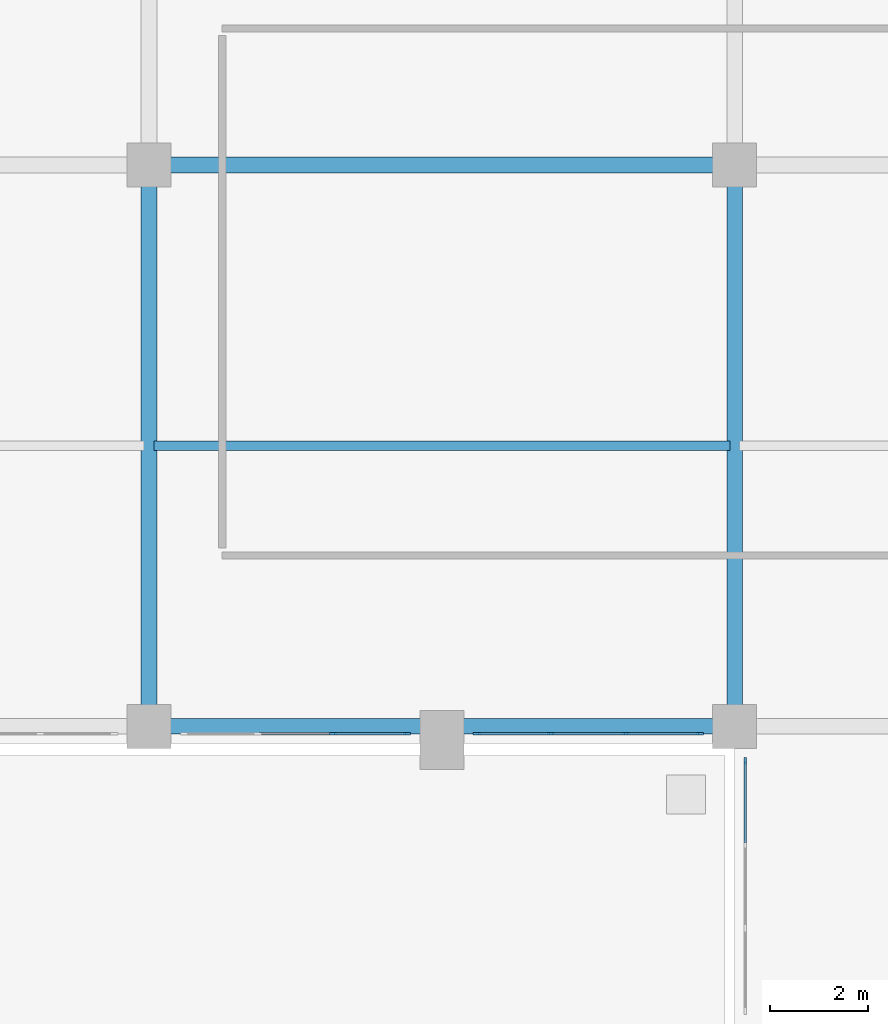
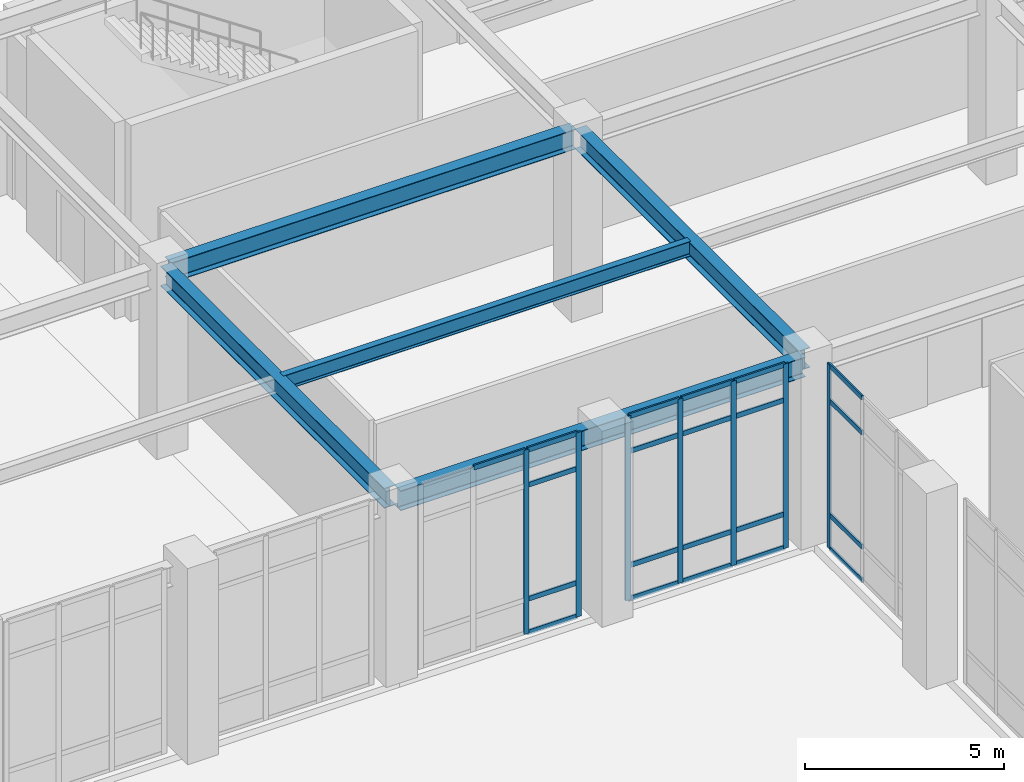
# One storey, part 76 of 143: 28 members, 5 beams, 3 elements without a shape of their own.
"""IFC4 building model written with IfcOpenShell, lengths in metres."""

from ifc_helpers import new_model, si_unit, derived_unit, direction, frame, origin, origin_2d, place, context, subcontext, project, spatial, rectangle, i_section, extrude, material, layer, layer_set, material_profile, profile_set, type_object, element, aggregate, save


model = new_model("IFC4")

# Units and contexts
model_context = context("Model", 3, precision=1e-05, world=origin(), true_north=direction((0.0, 1.0)))
body_context = subcontext(model_context, "Body", "Model", "MODEL_VIEW")
ifc_project = project(units=[si_unit("LENGTHUNIT", "METRE"), si_unit("AREAUNIT", "SQUARE_METRE"), si_unit("VOLUMEUNIT", "CUBIC_METRE"), si_unit("PLANEANGLEUNIT", "RADIAN"), si_unit("MASSUNIT", "GRAM", prefix="KILO"), derived_unit("THERMALTRANSMITTANCEUNIT", [(si_unit("MASSUNIT", "GRAM", prefix="KILO"), 1), (si_unit("TIMEUNIT", "SECOND"), -3), (si_unit("THERMODYNAMICTEMPERATUREUNIT", "KELVIN"), -1)])], contexts=[model_context])

# Site, building, storey
site_placement = place(None, origin())
site = spatial("IfcSite", under=ifc_project, at=site_placement, CompositionType="ELEMENT")
building_placement = place(site_placement, origin())
building = spatial("IfcBuilding", under=site, at=building_placement, Name="Valcora Ridge Arena", CompositionType="ELEMENT")
storey_placement = place(building_placement, origin())
storey = spatial("IfcBuildingStorey", under=building, at=storey_placement, Name="L00", CompositionType="ELEMENT", Elevation=0.0)

# Beams
ifc_material_1 = material(Name="Steel ASTM A572 Grade 50", Category="steel")
ifc_material_profile_1 = material_profile(ifc_material_1, i_section(OverallWidth=0.324951171875, OverallDepth=0.612060546875, WebThickness=0.0126953125, FlangeThickness=0.01904296875, FilletRadius=0.01806640625, at=origin_2d()), Name="W24X104")
ifc_profile_set_1 = profile_set([ifc_material_profile_1], Name="Steel ASTM A572 Grade 50")
beam_type_1 = type_object("IfcBeamType", Name="TY-BEAM-G-W24X104-X", PredefinedType="BEAM", material=ifc_profile_set_1)
for number, where, z_axis, x_axis, name in (
    (1, (144.139892578125, 108.699951171875, 5.333984375), (1.0, 0.0, 0.0), (0.0, 1.0, 0.0), "G-W24X104-X BEM-G-W24X104-X-0014"),
    (2, (144.139892578125, 120.199951171875, 5.333984375), (1.0, 0.0, 0.0), (0.0, 1.0, 0.0), "G-W24X104-X BEM-G-W24X104-X-0028"),
):
    element("IfcBeam", number, at=place(storey_placement, frame(where, z_axis=z_axis, x_axis=x_axis)), inside=storey, type_object=beam_type_1, Name=name, PredefinedType="BEAM", context=body_context, shape_type="SweptSolid", body=[
        extrude(i_section(OverallWidth=0.324951171875, OverallDepth=0.612060546875, WebThickness=0.0126953125, FlangeThickness=0.01904296875, FilletRadius=0.01806640625, at=origin_2d()), origin(), (0.0, 0.0, 1.0), 11.72021484375),
    ])
ifc_material_profile_2 = material_profile(ifc_material_1, i_section(OverallWidth=0.324951171875, OverallDepth=0.612060546875, WebThickness=0.0126953125, FlangeThickness=0.01904296875, FilletRadius=0.01806640625, at=origin_2d()), Name="W24X104")
ifc_profile_set_2 = profile_set([ifc_material_profile_2], Name="Steel ASTM A572 Grade 50")
beam_type_2 = type_object("IfcBeamType", Name="TY-BEAM-G-W24X104-Y", PredefinedType="BEAM", material=ifc_profile_set_2)
for number, where, z_axis, x_axis, name in (
    (3, (144.0, 108.840087890625, 5.333984375), (0.0, 1.0, 0.0), (-1.0, 0.0, 0.0), "G-W24X104-Y BEM-G-W24X104-Y-0020"),
    (4, (156.0, 108.840087890625, 5.333984375), (0.0, 1.0, 0.0), (-1.0, 0.0, 0.0), "G-W24X104-Y BEM-G-W24X104-Y-0022"),
):
    element("IfcBeam", number, at=place(storey_placement, frame(where, z_axis=z_axis, x_axis=x_axis)), inside=storey, type_object=beam_type_2, Name=name, PredefinedType="BEAM", context=body_context, shape_type="SweptSolid", body=[
        extrude(i_section(OverallWidth=0.324951171875, OverallDepth=0.612060546875, WebThickness=0.0126953125, FlangeThickness=0.01904296875, FilletRadius=0.01806640625, at=origin_2d()), origin(), (0.0, 0.0, 1.0), 11.219970703125),
    ])
ifc_material_profile_3 = material_profile(ifc_material_1, i_section(OverallWidth=0.18994140625, OverallDepth=0.45703125, WebThickness=0.009033203125, FlangeThickness=0.014404296875, FilletRadius=0.014892578125, at=origin_2d()), Name="W18X50")
ifc_profile_set_3 = profile_set([ifc_material_profile_3], Name="Steel ASTM A572 Grade 50")
beam_type_3 = type_object("IfcBeamType", Name="TY-BEAM-J-W18X50", PredefinedType="JOIST", material=ifc_profile_set_3)
beam_placement = place(storey_placement, frame((144.10009765625, 114.449951171875, 5.41162109375), z_axis=(1.0, 0.0, 0.0), x_axis=(0.0, 1.0, 0.0)))
element("IfcBeam", 5, at=beam_placement, inside=storey, type_object=beam_type_3, Name="J-W18X50 BEM-J-W18X50-0015", PredefinedType="JOIST", context=body_context, shape_type="SweptSolid", body=[
    extrude(i_section(OverallWidth=0.18994140625, OverallDepth=0.45703125, WebThickness=0.009033203125, FlangeThickness=0.014404296875, FilletRadius=0.014892578125, at=origin_2d()), origin(), (0.0, 0.0, 1.0), 11.7998046875),
])

# Curtain wall, members
ifc_material_2 = material(Name="Anodised dark bronze architectural aluminium 6063-T6", Category="aluminium")
ifc_layer_1 = layer(ifc_material_2, 0.14990234375, Name="Anodised dark bronze architectural aluminium 6063-T6")
ifc_layer_set_1 = layer_set([ifc_layer_1], Name="Anodised dark bronze architectural aluminium 6063-T6")
curtain_wall_type_1 = type_object("IfcCurtainWallType", Name="TY-CURTAINWALL-CW-V5-MED-046X56", PredefinedType="NOTDEFINED", material=ifc_layer_set_1)
curtain_wall_1_placement = place(storey_placement, origin())
curtain_wall_1 = element("IfcCurtainWall", 6, at=curtain_wall_1_placement, inside=storey, type_object=curtain_wall_type_1, Name="CW-V5-MED-046X56 CW-0310", PredefinedType="NOTDEFINED")
ifc_material_profile_4 = material_profile(ifc_material_2, rectangle(XDim=0.050048828125, YDim=0.14990234375, at=origin_2d()), Name="ALU MULLION 50x150")
ifc_profile_set_4 = profile_set([ifc_material_profile_4], Name="Anodised dark bronze architectural aluminium 6063-T6")
member_type_1 = type_object("IfcMemberType", Name="TY-MEM-CWM-50x150", PredefinedType="MULLION", material=ifc_profile_set_4)
member_1_placement = place(storey_placement, frame((147.77001953125, 108.550048828125, 0.0), z_axis=(0.0, 0.0, 1.0), x_axis=(0.0, 1.0, 0.0)))
member_1 = element("IfcMember", 7, at=member_1_placement, type_object=member_type_1, Name="CW-0310/CWM-50x150/M02", PredefinedType="MULLION", context=body_context, shape_type="SweptSolid", body=[
    extrude(rectangle(XDim=0.050048828125, YDim=0.14990234375, at=origin_2d()), origin(), (0.0, 0.0, 1.0), 5.639892578125),
])
member_2_placement = place(storey_placement, frame((149.284912109375, 108.550048828125, 0.0), z_axis=(0.0, 0.0, 1.0), x_axis=(0.0, 1.0, 0.0)))
member_2 = element("IfcMember", 8, at=member_2_placement, type_object=member_type_1, Name="CW-0310/CWM-50x150/M03", PredefinedType="MULLION", context=body_context, shape_type="SweptSolid", body=[
    extrude(rectangle(XDim=0.050048828125, YDim=0.14990234375, at=origin_2d()), origin(), (0.0, 0.0, 1.0), 5.639892578125),
])

curtain_wall_2_placement = place(storey_placement, origin())
curtain_wall_2 = element("IfcCurtainWall", 9, at=curtain_wall_2_placement, inside=storey, type_object=curtain_wall_type_1, Name="CW-V5-MED-046X56 CW-0311", PredefinedType="NOTDEFINED")
member_3_placement = place(storey_placement, frame((150.715087890625, 108.550048828125, 0.0), z_axis=(0.0, 0.0, 1.0), x_axis=(0.0, 1.0, 0.0)))
member_3 = element("IfcMember", 10, at=member_3_placement, type_object=member_type_1, Name="CW-0311/CWM-50x150/M00", PredefinedType="MULLION", context=body_context, shape_type="SweptSolid", body=[
    extrude(rectangle(XDim=0.050048828125, YDim=0.14990234375, at=origin_2d()), origin(), (0.0, 0.0, 1.0), 5.639892578125),
])
member_4_placement = place(storey_placement, frame((152.22998046875, 108.550048828125, 0.0), z_axis=(0.0, 0.0, 1.0), x_axis=(0.0, 1.0, 0.0)))
member_4 = element("IfcMember", 11, at=member_4_placement, type_object=member_type_1, Name="CW-0311/CWM-50x150/M01", PredefinedType="MULLION", context=body_context, shape_type="SweptSolid", body=[
    extrude(rectangle(XDim=0.050048828125, YDim=0.14990234375, at=origin_2d()), origin(), (0.0, 0.0, 1.0), 5.639892578125),
])
member_5_placement = place(storey_placement, frame((153.77001953125, 108.550048828125, 0.0), z_axis=(0.0, 0.0, 1.0), x_axis=(0.0, 1.0, 0.0)))
member_5 = element("IfcMember", 12, at=member_5_placement, type_object=member_type_1, Name="CW-0311/CWM-50x150/M02", PredefinedType="MULLION", context=body_context, shape_type="SweptSolid", body=[
    extrude(rectangle(XDim=0.050048828125, YDim=0.14990234375, at=origin_2d()), origin(), (0.0, 0.0, 1.0), 5.639892578125),
])
member_6_placement = place(storey_placement, frame((155.284912109375, 108.550048828125, 0.0), z_axis=(0.0, 0.0, 1.0), x_axis=(0.0, 1.0, 0.0)))
member_6 = element("IfcMember", 13, at=member_6_placement, type_object=member_type_1, Name="CW-0311/CWM-50x150/M03", PredefinedType="MULLION", context=body_context, shape_type="SweptSolid", body=[
    extrude(rectangle(XDim=0.050048828125, YDim=0.14990234375, at=origin_2d()), origin(), (0.0, 0.0, 1.0), 5.639892578125),
])

# Curtain wall, member
ifc_layer_2 = layer(ifc_material_2, 0.14990234375, Name="Anodised dark bronze architectural aluminium 6063-T6")
ifc_layer_set_2 = layer_set([ifc_layer_2], Name="Anodised dark bronze architectural aluminium 6063-T6")
curtain_wall_type_2 = type_object("IfcCurtainWallType", Name="TY-CURTAINWALL-CW-V5-MED-052X56", PredefinedType="NOTDEFINED", material=ifc_layer_set_2)
curtain_wall_3_placement = place(storey_placement, origin())
curtain_wall_3 = element("IfcCurtainWall", 14, at=curtain_wall_3_placement, inside=storey, type_object=curtain_wall_type_2, Name="CW-V5-MED-052X56 CW-0315", PredefinedType="NOTDEFINED")
member_7_placement = place(storey_placement, frame((156.219970703125, 107.985107421875, 0.0), z_axis=(0.0, 0.0, 1.0), x_axis=(-1.0, 0.0, 0.0)))
member_7 = element("IfcMember", 15, at=member_7_placement, type_object=member_type_1, Name="CW-0315/CWM-50x150/M03", PredefinedType="MULLION", context=body_context, shape_type="SweptSolid", body=[
    extrude(rectangle(XDim=0.050048828125, YDim=0.14990234375, at=origin_2d()), origin(), (0.0, 0.0, 1.0), 5.639892578125),
])

# Member
ifc_material_profile_5 = material_profile(ifc_material_2, rectangle(XDim=0.050048828125, YDim=0.14990234375, at=origin_2d()), Name="ALU TRANSOM 50x150")
ifc_profile_set_5 = profile_set([ifc_material_profile_5], Name="Anodised dark bronze architectural aluminium 6063-T6")
member_type_2 = type_object("IfcMemberType", Name="TY-MEM-CWT-50x150", PredefinedType="USERDEFINED", material=ifc_profile_set_5)
member_8_placement = place(storey_placement, frame((146.2548828125, 108.550048828125, 5.614990234375), z_axis=(1.0, 0.0, 0.0), x_axis=(0.0, 1.0, 0.0)))
member_8 = element("IfcMember", 16, at=member_8_placement, type_object=member_type_2, Name="CW-0310/CWT-50x150/T01-03", ObjectType="TRANSOM", PredefinedType="USERDEFINED", context=body_context, shape_type="SweptSolid", body=[
    extrude(rectangle(XDim=0.050048828125, YDim=0.14990234375, at=origin_2d()), origin(), (0.0, 0.0, 1.0), 1.490234375),
])

member_9_placement = place(storey_placement, frame((147.794921875, 108.550048828125, 0.02490234375), z_axis=(1.0, 0.0, 0.0), x_axis=(0.0, 1.0, 0.0)))
member_9 = element("IfcMember", 17, at=member_9_placement, type_object=member_type_2, Name="CW-0310/CWT-50x150/T02-00", ObjectType="TRANSOM", PredefinedType="USERDEFINED", context=body_context, shape_type="SweptSolid", body=[
    extrude(rectangle(XDim=0.050048828125, YDim=0.14990234375, at=origin_2d()), origin(), (0.0, 0.0, 1.0), 1.465087890625),
])

member_10_placement = place(storey_placement, frame((147.794921875, 108.550048828125, 1.050048828125), z_axis=(1.0, 0.0, 0.0), x_axis=(0.0, 1.0, 0.0)))
member_10 = element("IfcMember", 18, at=member_10_placement, type_object=member_type_2, Name="CW-0310/CWT-50x150/T02-01", ObjectType="TRANSOM", PredefinedType="USERDEFINED", context=body_context, shape_type="SweptSolid", body=[
    extrude(rectangle(XDim=0.050048828125, YDim=0.14990234375, at=origin_2d()), origin(), (0.0, 0.0, 1.0), 1.465087890625),
])

member_11_placement = place(storey_placement, frame((147.794921875, 108.550048828125, 4.5400390625), z_axis=(1.0, 0.0, 0.0), x_axis=(0.0, 1.0, 0.0)))
member_11 = element("IfcMember", 19, at=member_11_placement, type_object=member_type_2, Name="CW-0310/CWT-50x150/T02-02", ObjectType="TRANSOM", PredefinedType="USERDEFINED", context=body_context, shape_type="SweptSolid", body=[
    extrude(rectangle(XDim=0.050048828125, YDim=0.14990234375, at=origin_2d()), origin(), (0.0, 0.0, 1.0), 1.465087890625),
])

member_12_placement = place(storey_placement, frame((147.794921875, 108.550048828125, 5.614990234375), z_axis=(1.0, 0.0, 0.0), x_axis=(0.0, 1.0, 0.0)))
member_12 = element("IfcMember", 20, at=member_12_placement, type_object=member_type_2, Name="CW-0310/CWT-50x150/T02-03", ObjectType="TRANSOM", PredefinedType="USERDEFINED", context=body_context, shape_type="SweptSolid", body=[
    extrude(rectangle(XDim=0.050048828125, YDim=0.14990234375, at=origin_2d()), origin(), (0.0, 0.0, 1.0), 1.465087890625),
])

aggregate(curtain_wall_1, [member_1, member_2, member_8, member_9, member_10, member_11, member_12])

member_13_placement = place(storey_placement, frame((150.739990234375, 108.550048828125, 0.02490234375), z_axis=(1.0, 0.0, 0.0), x_axis=(0.0, 1.0, 0.0)))
member_13 = element("IfcMember", 21, at=member_13_placement, type_object=member_type_2, Name="CW-0311/CWT-50x150/T00-00", ObjectType="TRANSOM", PredefinedType="USERDEFINED", context=body_context, shape_type="SweptSolid", body=[
    extrude(rectangle(XDim=0.050048828125, YDim=0.14990234375, at=origin_2d()), origin(), (0.0, 0.0, 1.0), 1.465087890625),
])

member_14_placement = place(storey_placement, frame((150.739990234375, 108.550048828125, 1.050048828125), z_axis=(1.0, 0.0, 0.0), x_axis=(0.0, 1.0, 0.0)))
member_14 = element("IfcMember", 22, at=member_14_placement, type_object=member_type_2, Name="CW-0311/CWT-50x150/T00-01", ObjectType="TRANSOM", PredefinedType="USERDEFINED", context=body_context, shape_type="SweptSolid", body=[
    extrude(rectangle(XDim=0.050048828125, YDim=0.14990234375, at=origin_2d()), origin(), (0.0, 0.0, 1.0), 1.465087890625),
])

member_15_placement = place(storey_placement, frame((150.739990234375, 108.550048828125, 4.5400390625), z_axis=(1.0, 0.0, 0.0), x_axis=(0.0, 1.0, 0.0)))
member_15 = element("IfcMember", 23, at=member_15_placement, type_object=member_type_2, Name="CW-0311/CWT-50x150/T00-02", ObjectType="TRANSOM", PredefinedType="USERDEFINED", context=body_context, shape_type="SweptSolid", body=[
    extrude(rectangle(XDim=0.050048828125, YDim=0.14990234375, at=origin_2d()), origin(), (0.0, 0.0, 1.0), 1.465087890625),
])

member_16_placement = place(storey_placement, frame((150.739990234375, 108.550048828125, 5.614990234375), z_axis=(1.0, 0.0, 0.0), x_axis=(0.0, 1.0, 0.0)))
member_16 = element("IfcMember", 24, at=member_16_placement, type_object=member_type_2, Name="CW-0311/CWT-50x150/T00-03", ObjectType="TRANSOM", PredefinedType="USERDEFINED", context=body_context, shape_type="SweptSolid", body=[
    extrude(rectangle(XDim=0.050048828125, YDim=0.14990234375, at=origin_2d()), origin(), (0.0, 0.0, 1.0), 1.465087890625),
])

member_17_placement = place(storey_placement, frame((152.2548828125, 108.550048828125, 0.02490234375), z_axis=(1.0, 0.0, 0.0), x_axis=(0.0, 1.0, 0.0)))
member_17 = element("IfcMember", 25, at=member_17_placement, type_object=member_type_2, Name="CW-0311/CWT-50x150/T01-00", ObjectType="TRANSOM", PredefinedType="USERDEFINED", context=body_context, shape_type="SweptSolid", body=[
    extrude(rectangle(XDim=0.050048828125, YDim=0.14990234375, at=origin_2d()), origin(), (0.0, 0.0, 1.0), 1.490234375),
])

member_18_placement = place(storey_placement, frame((152.2548828125, 108.550048828125, 1.050048828125), z_axis=(1.0, 0.0, 0.0), x_axis=(0.0, 1.0, 0.0)))
member_18 = element("IfcMember", 26, at=member_18_placement, type_object=member_type_2, Name="CW-0311/CWT-50x150/T01-01", ObjectType="TRANSOM", PredefinedType="USERDEFINED", context=body_context, shape_type="SweptSolid", body=[
    extrude(rectangle(XDim=0.050048828125, YDim=0.14990234375, at=origin_2d()), origin(), (0.0, 0.0, 1.0), 1.490234375),
])

member_19_placement = place(storey_placement, frame((152.2548828125, 108.550048828125, 4.5400390625), z_axis=(1.0, 0.0, 0.0), x_axis=(0.0, 1.0, 0.0)))
member_19 = element("IfcMember", 27, at=member_19_placement, type_object=member_type_2, Name="CW-0311/CWT-50x150/T01-02", ObjectType="TRANSOM", PredefinedType="USERDEFINED", context=body_context, shape_type="SweptSolid", body=[
    extrude(rectangle(XDim=0.050048828125, YDim=0.14990234375, at=origin_2d()), origin(), (0.0, 0.0, 1.0), 1.490234375),
])

member_20_placement = place(storey_placement, frame((152.2548828125, 108.550048828125, 5.614990234375), z_axis=(1.0, 0.0, 0.0), x_axis=(0.0, 1.0, 0.0)))
member_20 = element("IfcMember", 28, at=member_20_placement, type_object=member_type_2, Name="CW-0311/CWT-50x150/T01-03", ObjectType="TRANSOM", PredefinedType="USERDEFINED", context=body_context, shape_type="SweptSolid", body=[
    extrude(rectangle(XDim=0.050048828125, YDim=0.14990234375, at=origin_2d()), origin(), (0.0, 0.0, 1.0), 1.490234375),
])

member_21_placement = place(storey_placement, frame((153.794921875, 108.550048828125, 0.02490234375), z_axis=(1.0, 0.0, 0.0), x_axis=(0.0, 1.0, 0.0)))
member_21 = element("IfcMember", 29, at=member_21_placement, type_object=member_type_2, Name="CW-0311/CWT-50x150/T02-00", ObjectType="TRANSOM", PredefinedType="USERDEFINED", context=body_context, shape_type="SweptSolid", body=[
    extrude(rectangle(XDim=0.050048828125, YDim=0.14990234375, at=origin_2d()), origin(), (0.0, 0.0, 1.0), 1.465087890625),
])

member_22_placement = place(storey_placement, frame((153.794921875, 108.550048828125, 1.050048828125), z_axis=(1.0, 0.0, 0.0), x_axis=(0.0, 1.0, 0.0)))
member_22 = element("IfcMember", 30, at=member_22_placement, type_object=member_type_2, Name="CW-0311/CWT-50x150/T02-01", ObjectType="TRANSOM", PredefinedType="USERDEFINED", context=body_context, shape_type="SweptSolid", body=[
    extrude(rectangle(XDim=0.050048828125, YDim=0.14990234375, at=origin_2d()), origin(), (0.0, 0.0, 1.0), 1.465087890625),
])

member_23_placement = place(storey_placement, frame((153.794921875, 108.550048828125, 4.5400390625), z_axis=(1.0, 0.0, 0.0), x_axis=(0.0, 1.0, 0.0)))
member_23 = element("IfcMember", 31, at=member_23_placement, type_object=member_type_2, Name="CW-0311/CWT-50x150/T02-02", ObjectType="TRANSOM", PredefinedType="USERDEFINED", context=body_context, shape_type="SweptSolid", body=[
    extrude(rectangle(XDim=0.050048828125, YDim=0.14990234375, at=origin_2d()), origin(), (0.0, 0.0, 1.0), 1.465087890625),
])

member_24_placement = place(storey_placement, frame((153.794921875, 108.550048828125, 5.614990234375), z_axis=(1.0, 0.0, 0.0), x_axis=(0.0, 1.0, 0.0)))
member_24 = element("IfcMember", 32, at=member_24_placement, type_object=member_type_2, Name="CW-0311/CWT-50x150/T02-03", ObjectType="TRANSOM", PredefinedType="USERDEFINED", context=body_context, shape_type="SweptSolid", body=[
    extrude(rectangle(XDim=0.050048828125, YDim=0.14990234375, at=origin_2d()), origin(), (0.0, 0.0, 1.0), 1.465087890625),
])

aggregate(curtain_wall_2, [member_3, member_4, member_5, member_6, member_13, member_14, member_15, member_16, member_17, member_18, member_19, member_20, member_21, member_22, member_23, member_24])

member_25_placement = place(storey_placement, frame((156.219970703125, 106.31201171875, 0.02490234375), z_axis=(0.0, 1.0, 0.0), x_axis=(-1.0, 0.0, 0.0)))
member_25 = element("IfcMember", 33, at=member_25_placement, type_object=member_type_2, Name="CW-0315/CWT-50x150/T02-00", ObjectType="TRANSOM", PredefinedType="USERDEFINED", context=body_context, shape_type="SweptSolid", body=[
    extrude(rectangle(XDim=0.050048828125, YDim=0.14990234375, at=origin_2d()), origin(), (0.0, 0.0, 1.0), 1.64794921875),
])

member_26_placement = place(storey_placement, frame((156.219970703125, 106.31201171875, 1.050048828125), z_axis=(0.0, 1.0, 0.0), x_axis=(-1.0, 0.0, 0.0)))
member_26 = element("IfcMember", 34, at=member_26_placement, type_object=member_type_2, Name="CW-0315/CWT-50x150/T02-01", ObjectType="TRANSOM", PredefinedType="USERDEFINED", context=body_context, shape_type="SweptSolid", body=[
    extrude(rectangle(XDim=0.050048828125, YDim=0.14990234375, at=origin_2d()), origin(), (0.0, 0.0, 1.0), 1.64794921875),
])

member_27_placement = place(storey_placement, frame((156.219970703125, 106.31201171875, 4.5400390625), z_axis=(0.0, 1.0, 0.0), x_axis=(-1.0, 0.0, 0.0)))
member_27 = element("IfcMember", 35, at=member_27_placement, type_object=member_type_2, Name="CW-0315/CWT-50x150/T02-02", ObjectType="TRANSOM", PredefinedType="USERDEFINED", context=body_context, shape_type="SweptSolid", body=[
    extrude(rectangle(XDim=0.050048828125, YDim=0.14990234375, at=origin_2d()), origin(), (0.0, 0.0, 1.0), 1.64794921875),
])

member_28_placement = place(storey_placement, frame((156.219970703125, 106.31201171875, 5.614990234375), z_axis=(0.0, 1.0, 0.0), x_axis=(-1.0, 0.0, 0.0)))
member_28 = element("IfcMember", 36, at=member_28_placement, type_object=member_type_2, Name="CW-0315/CWT-50x150/T02-03", ObjectType="TRANSOM", PredefinedType="USERDEFINED", context=body_context, shape_type="SweptSolid", body=[
    extrude(rectangle(XDim=0.050048828125, YDim=0.14990234375, at=origin_2d()), origin(), (0.0, 0.0, 1.0), 1.64794921875),
])

aggregate(curtain_wall_3, [member_7, member_25, member_26, member_27, member_28])

save(model, "model.ifc")
